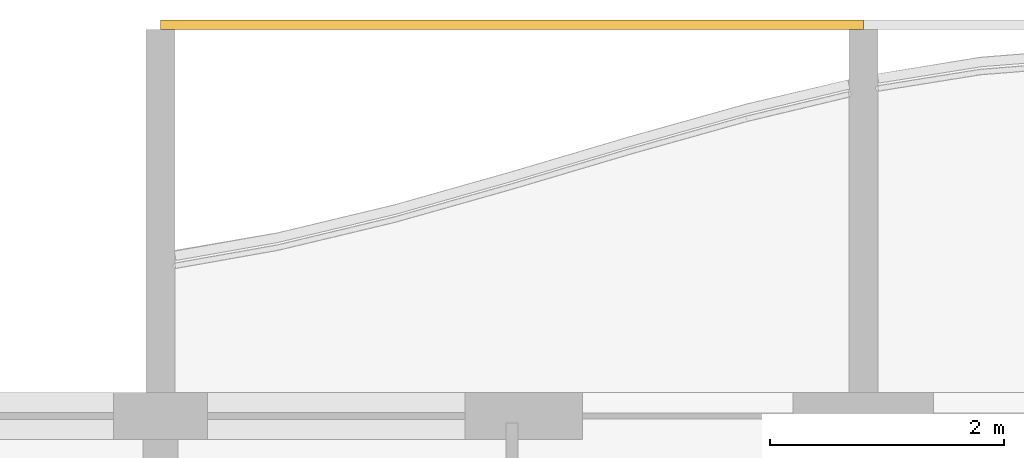
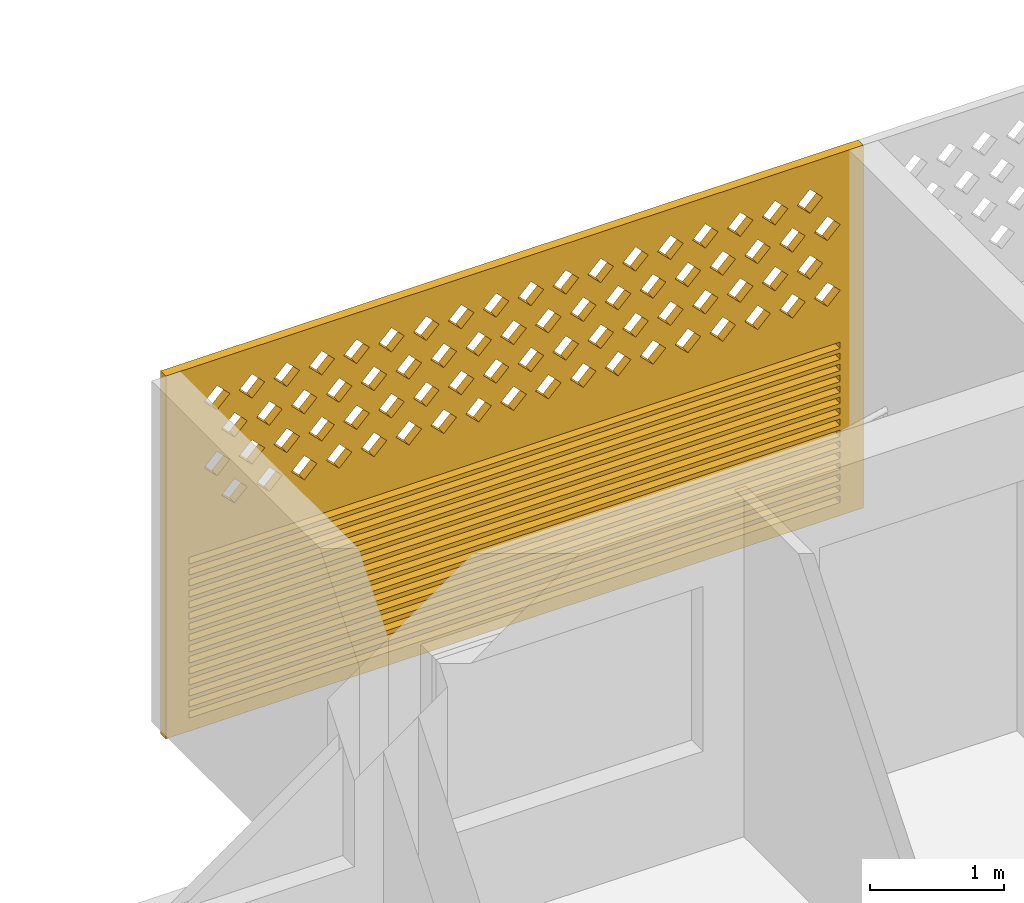
# One storey, part 23 of 31: 1 covering.
"""IFC4 building model written with IfcOpenShell, lengths in metres."""

from ifc_helpers import new_model, si_unit, direction, frame, origin, place, context, subcontext, project, spatial, polyline, outline, extrude, source, transform, mapped, material, material_profile, profile_set, type_object, element, save


model = new_model("IFC4")

# Units and contexts
model_context = context("Model", 3, precision=1e-05, world=origin(), true_north=direction((0.0, 1.0)))
body_context = subcontext(model_context, "Body", "Model", "MODEL_VIEW")
ifc_project = project(units=[si_unit("LENGTHUNIT", "METRE"), si_unit("AREAUNIT", "SQUARE_METRE"), si_unit("VOLUMEUNIT", "CUBIC_METRE"), si_unit("PLANEANGLEUNIT", "RADIAN"), si_unit("MASSUNIT", "GRAM", prefix="KILO")], contexts=[model_context])

# Site, building, storey
site_placement = place(None, origin())
site = spatial("IfcSite", under=ifc_project, at=site_placement, CompositionType="ELEMENT")
building_placement = place(site_placement, origin())
building = spatial("IfcBuilding", under=site, at=building_placement, Name="Poui Terraces", CompositionType="ELEMENT")
storey_placement = place(building_placement, frame((0.0, 0.0, 145.5)))
storey = spatial("IfcBuildingStorey", under=building, at=storey_placement, Name="L40", CompositionType="ELEMENT", Elevation=145.5)

# Covering
ifc_material = material(Name="Terracotta screen", Category="masonry")
ifc_material_profile = material_profile(ifc_material, outline(polyline([(-3.0, -1.64990234375), (3.0, -1.64990234375), (3.0, 1.64990234375), (-3.0, 1.64990234375), (-3.0, -1.64990234375)]), holes=[polyline([(-2.800048828125, 0.39990234375), (-2.68994140625, 0.2900390625), (-2.580078125, 0.39990234375), (-2.68994140625, 0.510009765625), (-2.800048828125, 0.39990234375)]), polyline([(-2.5, 0.39990234375), (-2.389892578125, 0.2900390625), (-2.280029296875, 0.39990234375), (-2.389892578125, 0.510009765625), (-2.5, 0.39990234375)]), polyline([(-2.199951171875, 0.39990234375), (-2.090087890625, 0.2900390625), (-1.97998046875, 0.39990234375), (-2.090087890625, 0.510009765625), (-2.199951171875, 0.39990234375)]), polyline([(-1.89990234375, 0.39990234375), (-1.7900390625, 0.2900390625), (-1.679931640625, 0.39990234375), (-1.7900390625, 0.510009765625), (-1.89990234375, 0.39990234375)]), polyline([(-1.60009765625, 0.39990234375), (-1.489990234375, 0.2900390625), (-1.3798828125, 0.39990234375), (-1.489990234375, 0.510009765625), (-1.60009765625, 0.39990234375)]), polyline([(-1.300048828125, 0.39990234375), (-1.18994140625, 0.2900390625), (-1.080078125, 0.39990234375), (-1.18994140625, 0.510009765625), (-1.300048828125, 0.39990234375)]), polyline([(-1.0, 0.39990234375), (-0.889892578125, 0.2900390625), (-0.780029296875, 0.39990234375), (-0.889892578125, 0.510009765625), (-1.0, 0.39990234375)]), polyline([(-0.699951171875, 0.39990234375), (-0.590087890625, 0.2900390625), (-0.47998046875, 0.39990234375), (-0.590087890625, 0.510009765625), (-0.699951171875, 0.39990234375)]), polyline([(-0.39990234375, 0.39990234375), (-0.2900390625, 0.2900390625), (-0.179931640625, 0.39990234375), (-0.2900390625, 0.510009765625), (-0.39990234375, 0.39990234375)]), polyline([(-0.10009765625, 0.39990234375), (0.010009765625, 0.2900390625), (0.1201171875, 0.39990234375), (0.010009765625, 0.510009765625), (-0.10009765625, 0.39990234375)]), polyline([(0.199951171875, 0.39990234375), (0.31005859375, 0.2900390625), (0.419921875, 0.39990234375), (0.31005859375, 0.510009765625), (0.199951171875, 0.39990234375)]), polyline([(0.5, 0.39990234375), (0.610107421875, 0.2900390625), (0.719970703125, 0.39990234375), (0.610107421875, 0.510009765625), (0.5, 0.39990234375)]), polyline([(0.800048828125, 0.39990234375), (0.909912109375, 0.2900390625), (1.02001953125, 0.39990234375), (0.909912109375, 0.510009765625), (0.800048828125, 0.39990234375)]), polyline([(1.10009765625, 0.39990234375), (1.2099609375, 0.2900390625), (1.320068359375, 0.39990234375), (1.2099609375, 0.510009765625), (1.10009765625, 0.39990234375)]), polyline([(1.39990234375, 0.39990234375), (1.510009765625, 0.2900390625), (1.6201171875, 0.39990234375), (1.510009765625, 0.510009765625), (1.39990234375, 0.39990234375)]), polyline([(1.699951171875, 0.39990234375), (1.81005859375, 0.2900390625), (1.919921875, 0.39990234375), (1.81005859375, 0.510009765625), (1.699951171875, 0.39990234375)]), polyline([(2.0, 0.39990234375), (2.110107421875, 0.2900390625), (2.219970703125, 0.39990234375), (2.110107421875, 0.510009765625), (2.0, 0.39990234375)]), polyline([(2.300048828125, 0.39990234375), (2.409912109375, 0.2900390625), (2.52001953125, 0.39990234375), (2.409912109375, 0.510009765625), (2.300048828125, 0.39990234375)]), polyline([(-2.64990234375, 0.699951171875), (-2.5400390625, 0.590087890625), (-2.429931640625, 0.699951171875), (-2.5400390625, 0.81005859375), (-2.64990234375, 0.699951171875)]), polyline([(-2.35009765625, 0.699951171875), (-2.239990234375, 0.590087890625), (-2.1298828125, 0.699951171875), (-2.239990234375, 0.81005859375), (-2.35009765625, 0.699951171875)]), polyline([(-2.050048828125, 0.699951171875), (-1.93994140625, 0.590087890625), (-1.830078125, 0.699951171875), (-1.93994140625, 0.81005859375), (-2.050048828125, 0.699951171875)]), polyline([(-1.75, 0.699951171875), (-1.639892578125, 0.590087890625), (-1.530029296875, 0.699951171875), (-1.639892578125, 0.81005859375), (-1.75, 0.699951171875)]), polyline([(-1.449951171875, 0.699951171875), (-1.340087890625, 0.590087890625), (-1.22998046875, 0.699951171875), (-1.340087890625, 0.81005859375), (-1.449951171875, 0.699951171875)]), polyline([(-1.14990234375, 0.699951171875), (-1.0400390625, 0.590087890625), (-0.929931640625, 0.699951171875), (-1.0400390625, 0.81005859375), (-1.14990234375, 0.699951171875)]), polyline([(-0.85009765625, 0.699951171875), (-0.739990234375, 0.590087890625), (-0.6298828125, 0.699951171875), (-0.739990234375, 0.81005859375), (-0.85009765625, 0.699951171875)]), polyline([(-0.550048828125, 0.699951171875), (-0.43994140625, 0.590087890625), (-0.330078125, 0.699951171875), (-0.43994140625, 0.81005859375), (-0.550048828125, 0.699951171875)]), polyline([(-0.25, 0.699951171875), (-0.139892578125, 0.590087890625), (-0.030029296875, 0.699951171875), (-0.139892578125, 0.81005859375), (-0.25, 0.699951171875)]), polyline([(0.050048828125, 0.699951171875), (0.159912109375, 0.590087890625), (0.27001953125, 0.699951171875), (0.159912109375, 0.81005859375), (0.050048828125, 0.699951171875)]), polyline([(0.35009765625, 0.699951171875), (0.4599609375, 0.590087890625), (0.570068359375, 0.699951171875), (0.4599609375, 0.81005859375), (0.35009765625, 0.699951171875)]), polyline([(0.64990234375, 0.699951171875), (0.760009765625, 0.590087890625), (0.8701171875, 0.699951171875), (0.760009765625, 0.81005859375), (0.64990234375, 0.699951171875)]), polyline([(0.949951171875, 0.699951171875), (1.06005859375, 0.590087890625), (1.169921875, 0.699951171875), (1.06005859375, 0.81005859375), (0.949951171875, 0.699951171875)]), polyline([(1.25, 0.699951171875), (1.360107421875, 0.590087890625), (1.469970703125, 0.699951171875), (1.360107421875, 0.81005859375), (1.25, 0.699951171875)]), polyline([(1.550048828125, 0.699951171875), (1.659912109375, 0.590087890625), (1.77001953125, 0.699951171875), (1.659912109375, 0.81005859375), (1.550048828125, 0.699951171875)]), polyline([(1.85009765625, 0.699951171875), (1.9599609375, 0.590087890625), (2.070068359375, 0.699951171875), (1.9599609375, 0.81005859375), (1.85009765625, 0.699951171875)]), polyline([(2.14990234375, 0.699951171875), (2.260009765625, 0.590087890625), (2.3701171875, 0.699951171875), (2.260009765625, 0.81005859375), (2.14990234375, 0.699951171875)]), polyline([(2.449951171875, 0.699951171875), (2.56005859375, 0.590087890625), (2.669921875, 0.699951171875), (2.56005859375, 0.81005859375), (2.449951171875, 0.699951171875)]), polyline([(-2.800048828125, 1.0), (-2.68994140625, 0.889892578125), (-2.580078125, 1.0), (-2.68994140625, 1.110107421875), (-2.800048828125, 1.0)]), polyline([(-2.5, 1.0), (-2.389892578125, 0.889892578125), (-2.280029296875, 1.0), (-2.389892578125, 1.110107421875), (-2.5, 1.0)]), polyline([(-2.199951171875, 1.0), (-2.090087890625, 0.889892578125), (-1.97998046875, 1.0), (-2.090087890625, 1.110107421875), (-2.199951171875, 1.0)]), polyline([(-1.89990234375, 1.0), (-1.7900390625, 0.889892578125), (-1.679931640625, 1.0), (-1.7900390625, 1.110107421875), (-1.89990234375, 1.0)]), polyline([(-1.60009765625, 1.0), (-1.489990234375, 0.889892578125), (-1.3798828125, 1.0), (-1.489990234375, 1.110107421875), (-1.60009765625, 1.0)]), polyline([(-1.300048828125, 1.0), (-1.18994140625, 0.889892578125), (-1.080078125, 1.0), (-1.18994140625, 1.110107421875), (-1.300048828125, 1.0)]), polyline([(-1.0, 1.0), (-0.889892578125, 0.889892578125), (-0.780029296875, 1.0), (-0.889892578125, 1.110107421875), (-1.0, 1.0)]), polyline([(-0.699951171875, 1.0), (-0.590087890625, 0.889892578125), (-0.47998046875, 1.0), (-0.590087890625, 1.110107421875), (-0.699951171875, 1.0)]), polyline([(-0.39990234375, 1.0), (-0.2900390625, 0.889892578125), (-0.179931640625, 1.0), (-0.2900390625, 1.110107421875), (-0.39990234375, 1.0)]), polyline([(-0.10009765625, 1.0), (0.010009765625, 0.889892578125), (0.1201171875, 1.0), (0.010009765625, 1.110107421875), (-0.10009765625, 1.0)]), polyline([(0.199951171875, 1.0), (0.31005859375, 0.889892578125), (0.419921875, 1.0), (0.31005859375, 1.110107421875), (0.199951171875, 1.0)]), polyline([(0.5, 1.0), (0.610107421875, 0.889892578125), (0.719970703125, 1.0), (0.610107421875, 1.110107421875), (0.5, 1.0)]), polyline([(0.800048828125, 1.0), (0.909912109375, 0.889892578125), (1.02001953125, 1.0), (0.909912109375, 1.110107421875), (0.800048828125, 1.0)]), polyline([(1.10009765625, 1.0), (1.2099609375, 0.889892578125), (1.320068359375, 1.0), (1.2099609375, 1.110107421875), (1.10009765625, 1.0)]), polyline([(1.39990234375, 1.0), (1.510009765625, 0.889892578125), (1.6201171875, 1.0), (1.510009765625, 1.110107421875), (1.39990234375, 1.0)]), polyline([(1.699951171875, 1.0), (1.81005859375, 0.889892578125), (1.919921875, 1.0), (1.81005859375, 1.110107421875), (1.699951171875, 1.0)]), polyline([(2.0, 1.0), (2.110107421875, 0.889892578125), (2.219970703125, 1.0), (2.110107421875, 1.110107421875), (2.0, 1.0)]), polyline([(2.300048828125, 1.0), (2.409912109375, 0.889892578125), (2.52001953125, 1.0), (2.409912109375, 1.110107421875), (2.300048828125, 1.0)]), polyline([(-2.64990234375, 1.300048828125), (-2.5400390625, 1.18994140625), (-2.429931640625, 1.300048828125), (-2.5400390625, 1.409912109375), (-2.64990234375, 1.300048828125)]), polyline([(-2.35009765625, 1.300048828125), (-2.239990234375, 1.18994140625), (-2.1298828125, 1.300048828125), (-2.239990234375, 1.409912109375), (-2.35009765625, 1.300048828125)]), polyline([(-2.050048828125, 1.300048828125), (-1.93994140625, 1.18994140625), (-1.830078125, 1.300048828125), (-1.93994140625, 1.409912109375), (-2.050048828125, 1.300048828125)]), polyline([(-1.75, 1.300048828125), (-1.639892578125, 1.18994140625), (-1.530029296875, 1.300048828125), (-1.639892578125, 1.409912109375), (-1.75, 1.300048828125)]), polyline([(-1.449951171875, 1.300048828125), (-1.340087890625, 1.18994140625), (-1.22998046875, 1.300048828125), (-1.340087890625, 1.409912109375), (-1.449951171875, 1.300048828125)]), polyline([(-1.14990234375, 1.300048828125), (-1.0400390625, 1.18994140625), (-0.929931640625, 1.300048828125), (-1.0400390625, 1.409912109375), (-1.14990234375, 1.300048828125)]), polyline([(-0.85009765625, 1.300048828125), (-0.739990234375, 1.18994140625), (-0.6298828125, 1.300048828125), (-0.739990234375, 1.409912109375), (-0.85009765625, 1.300048828125)]), polyline([(-0.550048828125, 1.300048828125), (-0.43994140625, 1.18994140625), (-0.330078125, 1.300048828125), (-0.43994140625, 1.409912109375), (-0.550048828125, 1.300048828125)]), polyline([(-0.25, 1.300048828125), (-0.139892578125, 1.18994140625), (-0.030029296875, 1.300048828125), (-0.139892578125, 1.409912109375), (-0.25, 1.300048828125)]), polyline([(0.050048828125, 1.300048828125), (0.159912109375, 1.18994140625), (0.27001953125, 1.300048828125), (0.159912109375, 1.409912109375), (0.050048828125, 1.300048828125)]), polyline([(0.35009765625, 1.300048828125), (0.4599609375, 1.18994140625), (0.570068359375, 1.300048828125), (0.4599609375, 1.409912109375), (0.35009765625, 1.300048828125)]), polyline([(0.64990234375, 1.300048828125), (0.760009765625, 1.18994140625), (0.8701171875, 1.300048828125), (0.760009765625, 1.409912109375), (0.64990234375, 1.300048828125)]), polyline([(0.949951171875, 1.300048828125), (1.06005859375, 1.18994140625), (1.169921875, 1.300048828125), (1.06005859375, 1.409912109375), (0.949951171875, 1.300048828125)]), polyline([(1.25, 1.300048828125), (1.360107421875, 1.18994140625), (1.469970703125, 1.300048828125), (1.360107421875, 1.409912109375), (1.25, 1.300048828125)]), polyline([(1.550048828125, 1.300048828125), (1.659912109375, 1.18994140625), (1.77001953125, 1.300048828125), (1.659912109375, 1.409912109375), (1.550048828125, 1.300048828125)]), polyline([(1.85009765625, 1.300048828125), (1.9599609375, 1.18994140625), (2.070068359375, 1.300048828125), (1.9599609375, 1.409912109375), (1.85009765625, 1.300048828125)]), polyline([(2.14990234375, 1.300048828125), (2.260009765625, 1.18994140625), (2.3701171875, 1.300048828125), (2.260009765625, 1.409912109375), (2.14990234375, 1.300048828125)]), polyline([(2.449951171875, 1.300048828125), (2.56005859375, 1.18994140625), (2.669921875, 1.300048828125), (2.56005859375, 1.409912109375), (2.449951171875, 1.300048828125)]), polyline([(-2.800048828125, -1.530029296875), (2.800048828125, -1.530029296875), (2.800048828125, -1.469970703125), (-2.800048828125, -1.469970703125), (-2.800048828125, -1.530029296875)]), polyline([(-2.800048828125, -1.429931640625), (2.800048828125, -1.429931640625), (2.800048828125, -1.3701171875), (-2.800048828125, -1.3701171875), (-2.800048828125, -1.429931640625)]), polyline([(-2.800048828125, -1.330078125), (2.800048828125, -1.330078125), (2.800048828125, -1.27001953125), (-2.800048828125, -1.27001953125), (-2.800048828125, -1.330078125)]), polyline([(-2.800048828125, -1.22998046875), (2.800048828125, -1.22998046875), (2.800048828125, -1.169921875), (-2.800048828125, -1.169921875), (-2.800048828125, -1.22998046875)]), polyline([(-2.800048828125, -1.1298828125), (2.800048828125, -1.1298828125), (2.800048828125, -1.070068359375), (-2.800048828125, -1.070068359375), (-2.800048828125, -1.1298828125)]), polyline([(-2.800048828125, -1.030029296875), (2.800048828125, -1.030029296875), (2.800048828125, -0.969970703125), (-2.800048828125, -0.969970703125), (-2.800048828125, -1.030029296875)]), polyline([(-2.800048828125, -0.929931640625), (2.800048828125, -0.929931640625), (2.800048828125, -0.8701171875), (-2.800048828125, -0.8701171875), (-2.800048828125, -0.929931640625)]), polyline([(-2.800048828125, -0.830078125), (2.800048828125, -0.830078125), (2.800048828125, -0.77001953125), (-2.800048828125, -0.77001953125), (-2.800048828125, -0.830078125)]), polyline([(-2.800048828125, -0.72998046875), (2.800048828125, -0.72998046875), (2.800048828125, -0.669921875), (-2.800048828125, -0.669921875), (-2.800048828125, -0.72998046875)]), polyline([(-2.800048828125, -0.6298828125), (2.800048828125, -0.6298828125), (2.800048828125, -0.570068359375), (-2.800048828125, -0.570068359375), (-2.800048828125, -0.6298828125)]), polyline([(-2.800048828125, -0.530029296875), (2.800048828125, -0.530029296875), (2.800048828125, -0.469970703125), (-2.800048828125, -0.469970703125), (-2.800048828125, -0.530029296875)]), polyline([(-2.800048828125, -0.429931640625), (2.800048828125, -0.429931640625), (2.800048828125, -0.3701171875), (-2.800048828125, -0.3701171875), (-2.800048828125, -0.429931640625)]), polyline([(-2.800048828125, -0.330078125), (2.800048828125, -0.330078125), (2.800048828125, -0.27001953125), (-2.800048828125, -0.27001953125), (-2.800048828125, -0.330078125)]), polyline([(-2.800048828125, -0.22998046875), (2.800048828125, -0.22998046875), (2.800048828125, -0.169921875), (-2.800048828125, -0.169921875), (-2.800048828125, -0.22998046875)]), polyline([(-2.800048828125, -0.1298828125), (2.800048828125, -0.1298828125), (2.800048828125, -0.070068359375), (-2.800048828125, -0.070068359375), (-2.800048828125, -0.1298828125)])]), Name="TERRACOTTA SCREEN AND JALOUSIE LOUVRE 6000X3300")
ifc_profile_set = profile_set([ifc_material_profile], Name="Terracotta screen")
covering_type = type_object("IfcCoveringType", Name="TERRACOTTA SCREEN AND JALOUSIE LOUVRE 6000X3300", PredefinedType="CLADDING", material=ifc_profile_set)
shared_shape = source(origin(), body_context, "Body", "SweptSolid", [
    extrude(outline(polyline([(-3.0, -1.64990234375), (3.0, -1.64990234375), (3.0, 1.64990234375), (-3.0, 1.64990234375), (-3.0, -1.64990234375)]), holes=[polyline([(-2.800048828125, 0.39990234375), (-2.68994140625, 0.2900390625), (-2.580078125, 0.39990234375), (-2.68994140625, 0.510009765625), (-2.800048828125, 0.39990234375)]), polyline([(-2.5, 0.39990234375), (-2.389892578125, 0.2900390625), (-2.280029296875, 0.39990234375), (-2.389892578125, 0.510009765625), (-2.5, 0.39990234375)]), polyline([(-2.199951171875, 0.39990234375), (-2.090087890625, 0.2900390625), (-1.97998046875, 0.39990234375), (-2.090087890625, 0.510009765625), (-2.199951171875, 0.39990234375)]), polyline([(-1.89990234375, 0.39990234375), (-1.7900390625, 0.2900390625), (-1.679931640625, 0.39990234375), (-1.7900390625, 0.510009765625), (-1.89990234375, 0.39990234375)]), polyline([(-1.60009765625, 0.39990234375), (-1.489990234375, 0.2900390625), (-1.3798828125, 0.39990234375), (-1.489990234375, 0.510009765625), (-1.60009765625, 0.39990234375)]), polyline([(-1.300048828125, 0.39990234375), (-1.18994140625, 0.2900390625), (-1.080078125, 0.39990234375), (-1.18994140625, 0.510009765625), (-1.300048828125, 0.39990234375)]), polyline([(-1.0, 0.39990234375), (-0.889892578125, 0.2900390625), (-0.780029296875, 0.39990234375), (-0.889892578125, 0.510009765625), (-1.0, 0.39990234375)]), polyline([(-0.699951171875, 0.39990234375), (-0.590087890625, 0.2900390625), (-0.47998046875, 0.39990234375), (-0.590087890625, 0.510009765625), (-0.699951171875, 0.39990234375)]), polyline([(-0.39990234375, 0.39990234375), (-0.2900390625, 0.2900390625), (-0.179931640625, 0.39990234375), (-0.2900390625, 0.510009765625), (-0.39990234375, 0.39990234375)]), polyline([(-0.10009765625, 0.39990234375), (0.010009765625, 0.2900390625), (0.1201171875, 0.39990234375), (0.010009765625, 0.510009765625), (-0.10009765625, 0.39990234375)]), polyline([(0.199951171875, 0.39990234375), (0.31005859375, 0.2900390625), (0.419921875, 0.39990234375), (0.31005859375, 0.510009765625), (0.199951171875, 0.39990234375)]), polyline([(0.5, 0.39990234375), (0.610107421875, 0.2900390625), (0.719970703125, 0.39990234375), (0.610107421875, 0.510009765625), (0.5, 0.39990234375)]), polyline([(0.800048828125, 0.39990234375), (0.909912109375, 0.2900390625), (1.02001953125, 0.39990234375), (0.909912109375, 0.510009765625), (0.800048828125, 0.39990234375)]), polyline([(1.10009765625, 0.39990234375), (1.2099609375, 0.2900390625), (1.320068359375, 0.39990234375), (1.2099609375, 0.510009765625), (1.10009765625, 0.39990234375)]), polyline([(1.39990234375, 0.39990234375), (1.510009765625, 0.2900390625), (1.6201171875, 0.39990234375), (1.510009765625, 0.510009765625), (1.39990234375, 0.39990234375)]), polyline([(1.699951171875, 0.39990234375), (1.81005859375, 0.2900390625), (1.919921875, 0.39990234375), (1.81005859375, 0.510009765625), (1.699951171875, 0.39990234375)]), polyline([(2.0, 0.39990234375), (2.110107421875, 0.2900390625), (2.219970703125, 0.39990234375), (2.110107421875, 0.510009765625), (2.0, 0.39990234375)]), polyline([(2.300048828125, 0.39990234375), (2.409912109375, 0.2900390625), (2.52001953125, 0.39990234375), (2.409912109375, 0.510009765625), (2.300048828125, 0.39990234375)]), polyline([(-2.64990234375, 0.699951171875), (-2.5400390625, 0.590087890625), (-2.429931640625, 0.699951171875), (-2.5400390625, 0.81005859375), (-2.64990234375, 0.699951171875)]), polyline([(-2.35009765625, 0.699951171875), (-2.239990234375, 0.590087890625), (-2.1298828125, 0.699951171875), (-2.239990234375, 0.81005859375), (-2.35009765625, 0.699951171875)]), polyline([(-2.050048828125, 0.699951171875), (-1.93994140625, 0.590087890625), (-1.830078125, 0.699951171875), (-1.93994140625, 0.81005859375), (-2.050048828125, 0.699951171875)]), polyline([(-1.75, 0.699951171875), (-1.639892578125, 0.590087890625), (-1.530029296875, 0.699951171875), (-1.639892578125, 0.81005859375), (-1.75, 0.699951171875)]), polyline([(-1.449951171875, 0.699951171875), (-1.340087890625, 0.590087890625), (-1.22998046875, 0.699951171875), (-1.340087890625, 0.81005859375), (-1.449951171875, 0.699951171875)]), polyline([(-1.14990234375, 0.699951171875), (-1.0400390625, 0.590087890625), (-0.929931640625, 0.699951171875), (-1.0400390625, 0.81005859375), (-1.14990234375, 0.699951171875)]), polyline([(-0.85009765625, 0.699951171875), (-0.739990234375, 0.590087890625), (-0.6298828125, 0.699951171875), (-0.739990234375, 0.81005859375), (-0.85009765625, 0.699951171875)]), polyline([(-0.550048828125, 0.699951171875), (-0.43994140625, 0.590087890625), (-0.330078125, 0.699951171875), (-0.43994140625, 0.81005859375), (-0.550048828125, 0.699951171875)]), polyline([(-0.25, 0.699951171875), (-0.139892578125, 0.590087890625), (-0.030029296875, 0.699951171875), (-0.139892578125, 0.81005859375), (-0.25, 0.699951171875)]), polyline([(0.050048828125, 0.699951171875), (0.159912109375, 0.590087890625), (0.27001953125, 0.699951171875), (0.159912109375, 0.81005859375), (0.050048828125, 0.699951171875)]), polyline([(0.35009765625, 0.699951171875), (0.4599609375, 0.590087890625), (0.570068359375, 0.699951171875), (0.4599609375, 0.81005859375), (0.35009765625, 0.699951171875)]), polyline([(0.64990234375, 0.699951171875), (0.760009765625, 0.590087890625), (0.8701171875, 0.699951171875), (0.760009765625, 0.81005859375), (0.64990234375, 0.699951171875)]), polyline([(0.949951171875, 0.699951171875), (1.06005859375, 0.590087890625), (1.169921875, 0.699951171875), (1.06005859375, 0.81005859375), (0.949951171875, 0.699951171875)]), polyline([(1.25, 0.699951171875), (1.360107421875, 0.590087890625), (1.469970703125, 0.699951171875), (1.360107421875, 0.81005859375), (1.25, 0.699951171875)]), polyline([(1.550048828125, 0.699951171875), (1.659912109375, 0.590087890625), (1.77001953125, 0.699951171875), (1.659912109375, 0.81005859375), (1.550048828125, 0.699951171875)]), polyline([(1.85009765625, 0.699951171875), (1.9599609375, 0.590087890625), (2.070068359375, 0.699951171875), (1.9599609375, 0.81005859375), (1.85009765625, 0.699951171875)]), polyline([(2.14990234375, 0.699951171875), (2.260009765625, 0.590087890625), (2.3701171875, 0.699951171875), (2.260009765625, 0.81005859375), (2.14990234375, 0.699951171875)]), polyline([(2.449951171875, 0.699951171875), (2.56005859375, 0.590087890625), (2.669921875, 0.699951171875), (2.56005859375, 0.81005859375), (2.449951171875, 0.699951171875)]), polyline([(-2.800048828125, 1.0), (-2.68994140625, 0.889892578125), (-2.580078125, 1.0), (-2.68994140625, 1.110107421875), (-2.800048828125, 1.0)]), polyline([(-2.5, 1.0), (-2.389892578125, 0.889892578125), (-2.280029296875, 1.0), (-2.389892578125, 1.110107421875), (-2.5, 1.0)]), polyline([(-2.199951171875, 1.0), (-2.090087890625, 0.889892578125), (-1.97998046875, 1.0), (-2.090087890625, 1.110107421875), (-2.199951171875, 1.0)]), polyline([(-1.89990234375, 1.0), (-1.7900390625, 0.889892578125), (-1.679931640625, 1.0), (-1.7900390625, 1.110107421875), (-1.89990234375, 1.0)]), polyline([(-1.60009765625, 1.0), (-1.489990234375, 0.889892578125), (-1.3798828125, 1.0), (-1.489990234375, 1.110107421875), (-1.60009765625, 1.0)]), polyline([(-1.300048828125, 1.0), (-1.18994140625, 0.889892578125), (-1.080078125, 1.0), (-1.18994140625, 1.110107421875), (-1.300048828125, 1.0)]), polyline([(-1.0, 1.0), (-0.889892578125, 0.889892578125), (-0.780029296875, 1.0), (-0.889892578125, 1.110107421875), (-1.0, 1.0)]), polyline([(-0.699951171875, 1.0), (-0.590087890625, 0.889892578125), (-0.47998046875, 1.0), (-0.590087890625, 1.110107421875), (-0.699951171875, 1.0)]), polyline([(-0.39990234375, 1.0), (-0.2900390625, 0.889892578125), (-0.179931640625, 1.0), (-0.2900390625, 1.110107421875), (-0.39990234375, 1.0)]), polyline([(-0.10009765625, 1.0), (0.010009765625, 0.889892578125), (0.1201171875, 1.0), (0.010009765625, 1.110107421875), (-0.10009765625, 1.0)]), polyline([(0.199951171875, 1.0), (0.31005859375, 0.889892578125), (0.419921875, 1.0), (0.31005859375, 1.110107421875), (0.199951171875, 1.0)]), polyline([(0.5, 1.0), (0.610107421875, 0.889892578125), (0.719970703125, 1.0), (0.610107421875, 1.110107421875), (0.5, 1.0)]), polyline([(0.800048828125, 1.0), (0.909912109375, 0.889892578125), (1.02001953125, 1.0), (0.909912109375, 1.110107421875), (0.800048828125, 1.0)]), polyline([(1.10009765625, 1.0), (1.2099609375, 0.889892578125), (1.320068359375, 1.0), (1.2099609375, 1.110107421875), (1.10009765625, 1.0)]), polyline([(1.39990234375, 1.0), (1.510009765625, 0.889892578125), (1.6201171875, 1.0), (1.510009765625, 1.110107421875), (1.39990234375, 1.0)]), polyline([(1.699951171875, 1.0), (1.81005859375, 0.889892578125), (1.919921875, 1.0), (1.81005859375, 1.110107421875), (1.699951171875, 1.0)]), polyline([(2.0, 1.0), (2.110107421875, 0.889892578125), (2.219970703125, 1.0), (2.110107421875, 1.110107421875), (2.0, 1.0)]), polyline([(2.300048828125, 1.0), (2.409912109375, 0.889892578125), (2.52001953125, 1.0), (2.409912109375, 1.110107421875), (2.300048828125, 1.0)]), polyline([(-2.64990234375, 1.300048828125), (-2.5400390625, 1.18994140625), (-2.429931640625, 1.300048828125), (-2.5400390625, 1.409912109375), (-2.64990234375, 1.300048828125)]), polyline([(-2.35009765625, 1.300048828125), (-2.239990234375, 1.18994140625), (-2.1298828125, 1.300048828125), (-2.239990234375, 1.409912109375), (-2.35009765625, 1.300048828125)]), polyline([(-2.050048828125, 1.300048828125), (-1.93994140625, 1.18994140625), (-1.830078125, 1.300048828125), (-1.93994140625, 1.409912109375), (-2.050048828125, 1.300048828125)]), polyline([(-1.75, 1.300048828125), (-1.639892578125, 1.18994140625), (-1.530029296875, 1.300048828125), (-1.639892578125, 1.409912109375), (-1.75, 1.300048828125)]), polyline([(-1.449951171875, 1.300048828125), (-1.340087890625, 1.18994140625), (-1.22998046875, 1.300048828125), (-1.340087890625, 1.409912109375), (-1.449951171875, 1.300048828125)]), polyline([(-1.14990234375, 1.300048828125), (-1.0400390625, 1.18994140625), (-0.929931640625, 1.300048828125), (-1.0400390625, 1.409912109375), (-1.14990234375, 1.300048828125)]), polyline([(-0.85009765625, 1.300048828125), (-0.739990234375, 1.18994140625), (-0.6298828125, 1.300048828125), (-0.739990234375, 1.409912109375), (-0.85009765625, 1.300048828125)]), polyline([(-0.550048828125, 1.300048828125), (-0.43994140625, 1.18994140625), (-0.330078125, 1.300048828125), (-0.43994140625, 1.409912109375), (-0.550048828125, 1.300048828125)]), polyline([(-0.25, 1.300048828125), (-0.139892578125, 1.18994140625), (-0.030029296875, 1.300048828125), (-0.139892578125, 1.409912109375), (-0.25, 1.300048828125)]), polyline([(0.050048828125, 1.300048828125), (0.159912109375, 1.18994140625), (0.27001953125, 1.300048828125), (0.159912109375, 1.409912109375), (0.050048828125, 1.300048828125)]), polyline([(0.35009765625, 1.300048828125), (0.4599609375, 1.18994140625), (0.570068359375, 1.300048828125), (0.4599609375, 1.409912109375), (0.35009765625, 1.300048828125)]), polyline([(0.64990234375, 1.300048828125), (0.760009765625, 1.18994140625), (0.8701171875, 1.300048828125), (0.760009765625, 1.409912109375), (0.64990234375, 1.300048828125)]), polyline([(0.949951171875, 1.300048828125), (1.06005859375, 1.18994140625), (1.169921875, 1.300048828125), (1.06005859375, 1.409912109375), (0.949951171875, 1.300048828125)]), polyline([(1.25, 1.300048828125), (1.360107421875, 1.18994140625), (1.469970703125, 1.300048828125), (1.360107421875, 1.409912109375), (1.25, 1.300048828125)]), polyline([(1.550048828125, 1.300048828125), (1.659912109375, 1.18994140625), (1.77001953125, 1.300048828125), (1.659912109375, 1.409912109375), (1.550048828125, 1.300048828125)]), polyline([(1.85009765625, 1.300048828125), (1.9599609375, 1.18994140625), (2.070068359375, 1.300048828125), (1.9599609375, 1.409912109375), (1.85009765625, 1.300048828125)]), polyline([(2.14990234375, 1.300048828125), (2.260009765625, 1.18994140625), (2.3701171875, 1.300048828125), (2.260009765625, 1.409912109375), (2.14990234375, 1.300048828125)]), polyline([(2.449951171875, 1.300048828125), (2.56005859375, 1.18994140625), (2.669921875, 1.300048828125), (2.56005859375, 1.409912109375), (2.449951171875, 1.300048828125)]), polyline([(-2.800048828125, -1.530029296875), (2.800048828125, -1.530029296875), (2.800048828125, -1.469970703125), (-2.800048828125, -1.469970703125), (-2.800048828125, -1.530029296875)]), polyline([(-2.800048828125, -1.429931640625), (2.800048828125, -1.429931640625), (2.800048828125, -1.3701171875), (-2.800048828125, -1.3701171875), (-2.800048828125, -1.429931640625)]), polyline([(-2.800048828125, -1.330078125), (2.800048828125, -1.330078125), (2.800048828125, -1.27001953125), (-2.800048828125, -1.27001953125), (-2.800048828125, -1.330078125)]), polyline([(-2.800048828125, -1.22998046875), (2.800048828125, -1.22998046875), (2.800048828125, -1.169921875), (-2.800048828125, -1.169921875), (-2.800048828125, -1.22998046875)]), polyline([(-2.800048828125, -1.1298828125), (2.800048828125, -1.1298828125), (2.800048828125, -1.070068359375), (-2.800048828125, -1.070068359375), (-2.800048828125, -1.1298828125)]), polyline([(-2.800048828125, -1.030029296875), (2.800048828125, -1.030029296875), (2.800048828125, -0.969970703125), (-2.800048828125, -0.969970703125), (-2.800048828125, -1.030029296875)]), polyline([(-2.800048828125, -0.929931640625), (2.800048828125, -0.929931640625), (2.800048828125, -0.8701171875), (-2.800048828125, -0.8701171875), (-2.800048828125, -0.929931640625)]), polyline([(-2.800048828125, -0.830078125), (2.800048828125, -0.830078125), (2.800048828125, -0.77001953125), (-2.800048828125, -0.77001953125), (-2.800048828125, -0.830078125)]), polyline([(-2.800048828125, -0.72998046875), (2.800048828125, -0.72998046875), (2.800048828125, -0.669921875), (-2.800048828125, -0.669921875), (-2.800048828125, -0.72998046875)]), polyline([(-2.800048828125, -0.6298828125), (2.800048828125, -0.6298828125), (2.800048828125, -0.570068359375), (-2.800048828125, -0.570068359375), (-2.800048828125, -0.6298828125)]), polyline([(-2.800048828125, -0.530029296875), (2.800048828125, -0.530029296875), (2.800048828125, -0.469970703125), (-2.800048828125, -0.469970703125), (-2.800048828125, -0.530029296875)]), polyline([(-2.800048828125, -0.429931640625), (2.800048828125, -0.429931640625), (2.800048828125, -0.3701171875), (-2.800048828125, -0.3701171875), (-2.800048828125, -0.429931640625)]), polyline([(-2.800048828125, -0.330078125), (2.800048828125, -0.330078125), (2.800048828125, -0.27001953125), (-2.800048828125, -0.27001953125), (-2.800048828125, -0.330078125)]), polyline([(-2.800048828125, -0.22998046875), (2.800048828125, -0.22998046875), (2.800048828125, -0.169921875), (-2.800048828125, -0.169921875), (-2.800048828125, -0.22998046875)]), polyline([(-2.800048828125, -0.1298828125), (2.800048828125, -0.1298828125), (2.800048828125, -0.070068359375), (-2.800048828125, -0.070068359375), (-2.800048828125, -0.1298828125)])]), origin(), (0.0, 0.0, 1.0), 0.080078125),
])
covering_placement = place(storey_placement, frame((51.0, 45.699951171875, 1.449951171875), z_axis=(0.0, 1.0, 0.0), x_axis=(-1.0, 0.0, 0.0)))
element("IfcCovering", 1, at=covering_placement, inside=storey, type_object=covering_type, Name="SOLAR SCREEN AND JALOUSIE LOUVRE", PredefinedType="CLADDING", context=body_context, shape_type="MappedRepresentation", body=[
    mapped(shared_shape, transform((0.0, 0.0, 0.0))),
])

save(model, "model.ifc")
